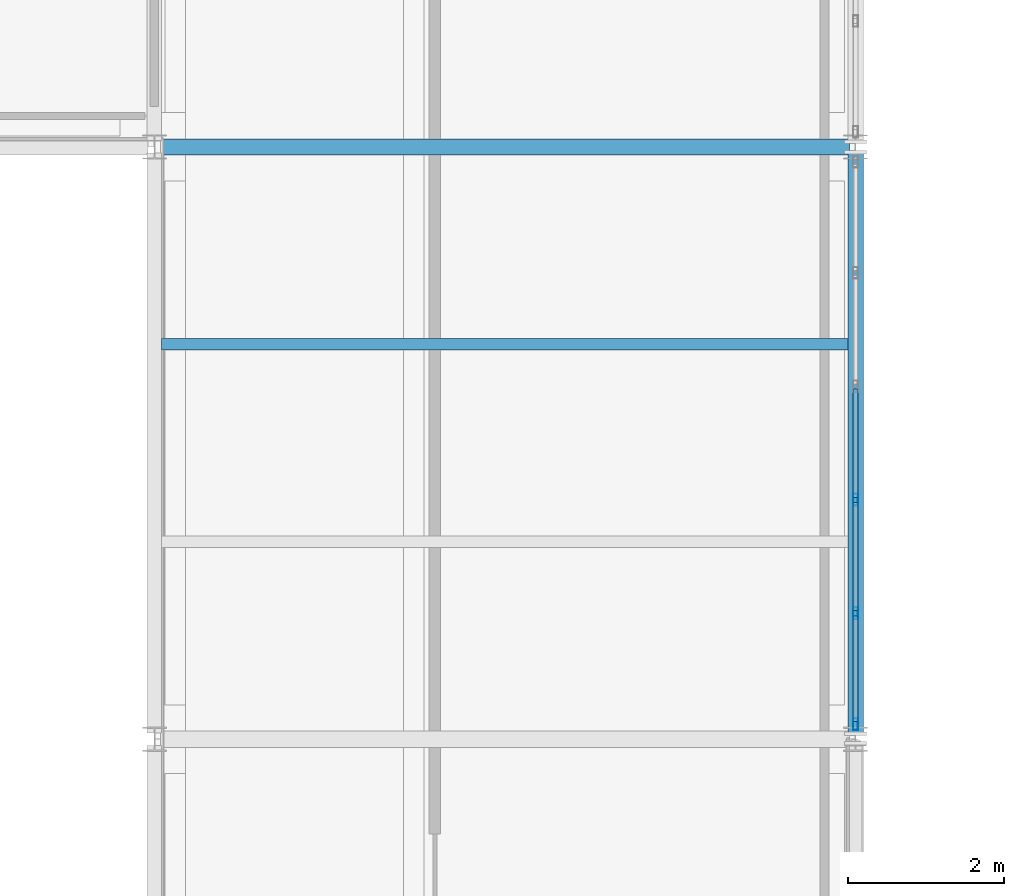
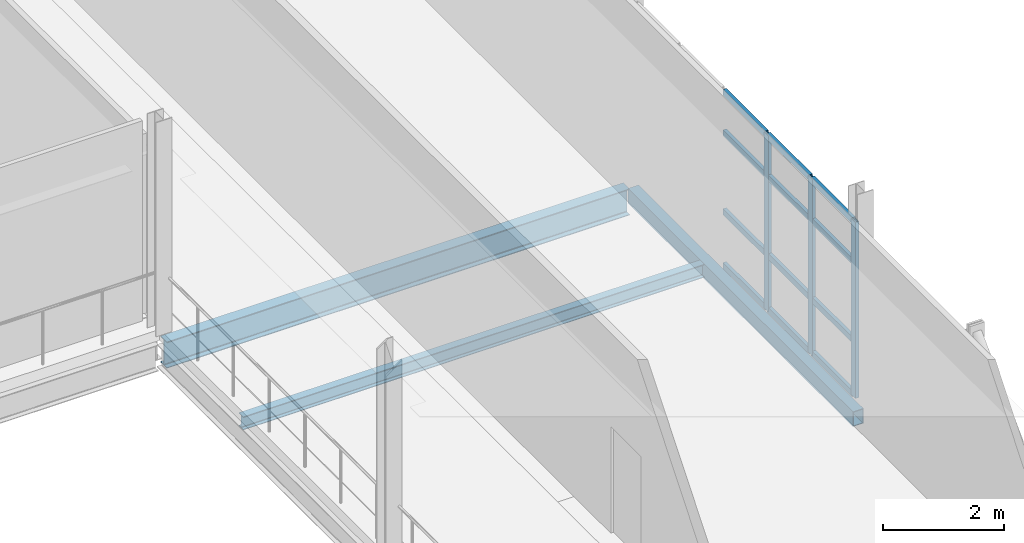
# One storey, part 117 of 166: 15 members, 3 beams, 1 element without a shape of its own.
"""IFC4 building model written with IfcOpenShell, lengths in metres."""

from ifc_helpers import new_model, si_unit, direction, frame, origin, origin_2d, place, context, subcontext, project, spatial, hollow_rectangle, i_section, extrude, material, material_profile, profile_set, type_object, element, aggregate, save


model = new_model("IFC4")

# Units and contexts
model_context = context("Model", 3, precision=1e-05, world=origin(), true_north=direction((0.0, 1.0)))
body_context = subcontext(model_context, "Body", "Model", "MODEL_VIEW")
ifc_project = project(units=[si_unit("LENGTHUNIT", "METRE"), si_unit("AREAUNIT", "SQUARE_METRE"), si_unit("VOLUMEUNIT", "CUBIC_METRE"), si_unit("PLANEANGLEUNIT", "RADIAN"), si_unit("MASSUNIT", "GRAM", prefix="KILO")], contexts=[model_context])

# Site, building, storey
site_placement = place(None, origin())
site = spatial("IfcSite", under=ifc_project, at=site_placement, CompositionType="ELEMENT")
building_placement = place(site_placement, origin())
building = spatial("IfcBuilding", under=site, at=building_placement, Name="Caisbarro Railhouse Central Library", CompositionType="ELEMENT")
storey_placement = place(building_placement, frame((0.0, 0.0, 9.360107421875)))
storey = spatial("IfcBuildingStorey", under=building, at=storey_placement, Name="L02", CompositionType="ELEMENT", Elevation=9.360107421875)

# Beams
ifc_material_1 = material(Name="Steel ASTM A572 Grade 50", Category="steel")
ifc_material_profile_1 = material_profile(ifc_material_1, i_section(OverallWidth=0.208984375, OverallDepth=0.532958984375, WebThickness=0.01025390625, FlangeThickness=0.015625, FilletRadius=0.02001953125, at=origin_2d()), Name="W530X92.0")
ifc_profile_set_1 = profile_set([ifc_material_profile_1], Name="Steel ASTM A572 Grade 50")
beam_type_1 = type_object("IfcBeamType", Name="BM-G06", PredefinedType="BEAM", material=ifc_profile_set_1)
beam_1_placement = place(storey_placement, frame((144.080078125, 91.199951171875, -0.486572265625), z_axis=(1.0, 0.0, 0.0), x_axis=(0.0, 1.0, 0.0)))
element("IfcBeam", 1, at=beam_1_placement, inside=storey, type_object=beam_type_1, Name="G06 beam L02 #1493", PredefinedType="BEAM", context=body_context, shape_type="SweptSolid", body=[
    extrude(i_section(OverallWidth=0.208984375, OverallDepth=0.532958984375, WebThickness=0.01025390625, FlangeThickness=0.015625, FilletRadius=0.02001953125, at=origin_2d()), origin(), (0.0, 0.0, 1.0), 8.83984375),
])
ifc_material_profile_2 = material_profile(ifc_material_1, i_section(OverallWidth=0.14794921875, OverallDepth=0.26611328125, WebThickness=0.007568359375, FlangeThickness=0.012939453125, FilletRadius=0.010009765625, at=origin_2d()), Name="W250X44.8")
ifc_profile_set_2 = profile_set([ifc_material_profile_2], Name="Steel ASTM A572 Grade 50")
beam_type_2 = type_object("IfcBeamType", Name="BM-J04", PredefinedType="JOIST", material=ifc_profile_set_2)
beam_2_placement = place(storey_placement, frame((144.094970703125, 88.666748046875, -0.35302734375), z_axis=(1.0, 0.0, 0.0), x_axis=(0.0, 1.0, 0.0)))
element("IfcBeam", 2, at=beam_2_placement, inside=storey, type_object=beam_type_2, Name="J04 beam L02 #1576", PredefinedType="JOIST", context=body_context, shape_type="SweptSolid", body=[
    extrude(i_section(OverallWidth=0.14794921875, OverallDepth=0.26611328125, WebThickness=0.007568359375, FlangeThickness=0.012939453125, FilletRadius=0.010009765625, at=origin_2d()), origin(), (0.0, 0.0, 1.0), 8.804931640625),
])
ifc_material_profile_3 = material_profile(ifc_material_1, hollow_rectangle(XDim=0.199951171875, YDim=0.300048828125, WallThickness=0.012451171875, at=origin_2d()), Name="HSS300X200X12.5")
ifc_profile_set_3 = profile_set([ifc_material_profile_3], Name="Steel ASTM A572 Grade 50")
beam_type_3 = type_object("IfcBeamType", Name="BM-SP02", PredefinedType="SPANDREL", material=ifc_profile_set_3)
beam_3_placement = place(storey_placement, frame((153.0, 83.679931640625, -0.3701171875), z_axis=(0.0, 1.0, 0.0), x_axis=(-1.0, 0.0, 0.0)))
element("IfcBeam", 3, at=beam_3_placement, inside=storey, type_object=beam_type_3, Name="SP02 beam L02 #1535", PredefinedType="SPANDREL", context=body_context, shape_type="SweptSolid", body=[
    extrude(hollow_rectangle(XDim=0.199951171875, YDim=0.300048828125, WallThickness=0.012451171875, at=origin_2d()), origin(), (0.0, 0.0, 1.0), 7.440185546875),
])

# Curtain wall, members
ifc_material_2 = material(Name="Anodised architectural aluminium", Category="aluminium")
curtain_wall_type = type_object("IfcCurtainWallType", Name="CW-CW03", PredefinedType="NOTDEFINED", material=ifc_material_2)
curtain_wall_placement = place(storey_placement, origin())
curtain_wall = element("IfcCurtainWall", 4, at=curtain_wall_placement, inside=storey, type_object=curtain_wall_type, Name="CW03 curtain wall L02 #139", PredefinedType="NOTDEFINED")
ifc_material_profile_4 = material_profile(ifc_material_2, hollow_rectangle(XDim=0.06494140625, YDim=0.14990234375, WallThickness=0.00390625, at=origin_2d()), Name="ALU-MUL-65X150")
ifc_profile_set_4 = profile_set([ifc_material_profile_4], Name="Anodised architectural aluminium")
member_type_1 = type_object("IfcMemberType", Name="CWM-M02", PredefinedType="MULLION", material=ifc_profile_set_4)
member_1_placement = place(storey_placement, frame((153.0, 83.79248046875, 0.0), z_axis=(0.0, 0.0, 1.0), x_axis=(-1.0, 0.0, 0.0)))
member_1 = element("IfcMember", 5, at=member_1_placement, type_object=member_type_1, Name="CW03 mullion 1", PredefinedType="MULLION", context=body_context, shape_type="SweptSolid", body=[
    extrude(hollow_rectangle(XDim=0.06494140625, YDim=0.14990234375, WallThickness=0.00390625, at=origin_2d()), origin(), (0.0, 0.0, 1.0), 3.559814453125),
])
member_2_placement = place(storey_placement, frame((153.0, 85.216064453125, 0.0), z_axis=(0.0, 0.0, 1.0), x_axis=(-1.0, 0.0, 0.0)))
member_2 = element("IfcMember", 6, at=member_2_placement, type_object=member_type_1, Name="CW03 mullion 2", PredefinedType="MULLION", context=body_context, shape_type="SweptSolid", body=[
    extrude(hollow_rectangle(XDim=0.06494140625, YDim=0.14990234375, WallThickness=0.00390625, at=origin_2d()), origin(), (0.0, 0.0, 1.0), 3.559814453125),
])
member_3_placement = place(storey_placement, frame((153.0, 86.672119140625, 0.0), z_axis=(0.0, 0.0, 1.0), x_axis=(-1.0, 0.0, 0.0)))
member_3 = element("IfcMember", 7, at=member_3_placement, type_object=member_type_1, Name="CW03 mullion 3", PredefinedType="MULLION", context=body_context, shape_type="SweptSolid", body=[
    extrude(hollow_rectangle(XDim=0.06494140625, YDim=0.14990234375, WallThickness=0.00390625, at=origin_2d()), origin(), (0.0, 0.0, 1.0), 3.559814453125),
])
ifc_material_profile_5 = material_profile(ifc_material_2, hollow_rectangle(XDim=0.06494140625, YDim=0.1201171875, WallThickness=0.00341796875, at=origin_2d()), Name="ALU-TRN-65X120")
ifc_profile_set_5 = profile_set([ifc_material_profile_5], Name="Anodised architectural aluminium")
member_type_2 = type_object("IfcMemberType", Name="CWT-T02", PredefinedType="USERDEFINED", material=ifc_profile_set_5)
member_4_placement = place(storey_placement, frame((153.0, 83.824951171875, 0.032470703125), z_axis=(0.0, 1.0, 0.0), x_axis=(-1.0, 0.0, 0.0)))
member_4 = element("IfcMember", 8, at=member_4_placement, type_object=member_type_2, Name="CW03 transom 1.1", ObjectType="TRANSOM", PredefinedType="USERDEFINED", context=body_context, shape_type="SweptSolid", body=[
    extrude(hollow_rectangle(XDim=0.06494140625, YDim=0.1201171875, WallThickness=0.00341796875, at=origin_2d()), origin(), (0.0, 0.0, 1.0), 1.358642578125),
])
member_5_placement = place(storey_placement, frame((153.0, 83.824951171875, 1.119873046875), z_axis=(0.0, 1.0, 0.0), x_axis=(-1.0, 0.0, 0.0)))
member_5 = element("IfcMember", 9, at=member_5_placement, type_object=member_type_2, Name="CW03 transom 1.2", ObjectType="TRANSOM", PredefinedType="USERDEFINED", context=body_context, shape_type="SweptSolid", body=[
    extrude(hollow_rectangle(XDim=0.06494140625, YDim=0.1201171875, WallThickness=0.00341796875, at=origin_2d()), origin(), (0.0, 0.0, 1.0), 1.358642578125),
])
member_6_placement = place(storey_placement, frame((153.0, 83.824951171875, 2.7099609375), z_axis=(0.0, 1.0, 0.0), x_axis=(-1.0, 0.0, 0.0)))
member_6 = element("IfcMember", 10, at=member_6_placement, type_object=member_type_2, Name="CW03 transom 1.3", ObjectType="TRANSOM", PredefinedType="USERDEFINED", context=body_context, shape_type="SweptSolid", body=[
    extrude(hollow_rectangle(XDim=0.06494140625, YDim=0.1201171875, WallThickness=0.00341796875, at=origin_2d()), origin(), (0.0, 0.0, 1.0), 1.358642578125),
])
member_7_placement = place(storey_placement, frame((153.0, 83.824951171875, 3.52734375), z_axis=(0.0, 1.0, 0.0), x_axis=(-1.0, 0.0, 0.0)))
member_7 = element("IfcMember", 11, at=member_7_placement, type_object=member_type_2, Name="CW03 transom 1.4", ObjectType="TRANSOM", PredefinedType="USERDEFINED", context=body_context, shape_type="SweptSolid", body=[
    extrude(hollow_rectangle(XDim=0.06494140625, YDim=0.1201171875, WallThickness=0.00341796875, at=origin_2d()), origin(), (0.0, 0.0, 1.0), 1.358642578125),
])
member_8_placement = place(storey_placement, frame((153.0, 85.24853515625, 0.032470703125), z_axis=(0.0, 1.0, 0.0), x_axis=(-1.0, 0.0, 0.0)))
member_8 = element("IfcMember", 12, at=member_8_placement, type_object=member_type_2, Name="CW03 transom 2.1", ObjectType="TRANSOM", PredefinedType="USERDEFINED", context=body_context, shape_type="SweptSolid", body=[
    extrude(hollow_rectangle(XDim=0.06494140625, YDim=0.1201171875, WallThickness=0.00341796875, at=origin_2d()), origin(), (0.0, 0.0, 1.0), 1.390869140625),
])
member_9_placement = place(storey_placement, frame((153.0, 85.24853515625, 1.119873046875), z_axis=(0.0, 1.0, 0.0), x_axis=(-1.0, 0.0, 0.0)))
member_9 = element("IfcMember", 13, at=member_9_placement, type_object=member_type_2, Name="CW03 transom 2.2", ObjectType="TRANSOM", PredefinedType="USERDEFINED", context=body_context, shape_type="SweptSolid", body=[
    extrude(hollow_rectangle(XDim=0.06494140625, YDim=0.1201171875, WallThickness=0.00341796875, at=origin_2d()), origin(), (0.0, 0.0, 1.0), 1.390869140625),
])
member_10_placement = place(storey_placement, frame((153.0, 85.24853515625, 2.7099609375), z_axis=(0.0, 1.0, 0.0), x_axis=(-1.0, 0.0, 0.0)))
member_10 = element("IfcMember", 14, at=member_10_placement, type_object=member_type_2, Name="CW03 transom 2.3", ObjectType="TRANSOM", PredefinedType="USERDEFINED", context=body_context, shape_type="SweptSolid", body=[
    extrude(hollow_rectangle(XDim=0.06494140625, YDim=0.1201171875, WallThickness=0.00341796875, at=origin_2d()), origin(), (0.0, 0.0, 1.0), 1.390869140625),
])
member_11_placement = place(storey_placement, frame((153.0, 85.24853515625, 3.52734375), z_axis=(0.0, 1.0, 0.0), x_axis=(-1.0, 0.0, 0.0)))
member_11 = element("IfcMember", 15, at=member_11_placement, type_object=member_type_2, Name="CW03 transom 2.4", ObjectType="TRANSOM", PredefinedType="USERDEFINED", context=body_context, shape_type="SweptSolid", body=[
    extrude(hollow_rectangle(XDim=0.06494140625, YDim=0.1201171875, WallThickness=0.00341796875, at=origin_2d()), origin(), (0.0, 0.0, 1.0), 1.390869140625),
])
member_12_placement = place(storey_placement, frame((153.0, 86.70458984375, 0.032470703125), z_axis=(0.0, 1.0, 0.0), x_axis=(-1.0, 0.0, 0.0)))
member_12 = element("IfcMember", 16, at=member_12_placement, type_object=member_type_2, Name="CW03 transom 3.1", ObjectType="TRANSOM", PredefinedType="USERDEFINED", context=body_context, shape_type="SweptSolid", body=[
    extrude(hollow_rectangle(XDim=0.06494140625, YDim=0.1201171875, WallThickness=0.00341796875, at=origin_2d()), origin(), (0.0, 0.0, 1.0), 1.390869140625),
])
member_13_placement = place(storey_placement, frame((153.0, 86.70458984375, 1.119873046875), z_axis=(0.0, 1.0, 0.0), x_axis=(-1.0, 0.0, 0.0)))
member_13 = element("IfcMember", 17, at=member_13_placement, type_object=member_type_2, Name="CW03 transom 3.2", ObjectType="TRANSOM", PredefinedType="USERDEFINED", context=body_context, shape_type="SweptSolid", body=[
    extrude(hollow_rectangle(XDim=0.06494140625, YDim=0.1201171875, WallThickness=0.00341796875, at=origin_2d()), origin(), (0.0, 0.0, 1.0), 1.390869140625),
])
member_14_placement = place(storey_placement, frame((153.0, 86.70458984375, 2.7099609375), z_axis=(0.0, 1.0, 0.0), x_axis=(-1.0, 0.0, 0.0)))
member_14 = element("IfcMember", 18, at=member_14_placement, type_object=member_type_2, Name="CW03 transom 3.3", ObjectType="TRANSOM", PredefinedType="USERDEFINED", context=body_context, shape_type="SweptSolid", body=[
    extrude(hollow_rectangle(XDim=0.06494140625, YDim=0.1201171875, WallThickness=0.00341796875, at=origin_2d()), origin(), (0.0, 0.0, 1.0), 1.390869140625),
])
member_15_placement = place(storey_placement, frame((153.0, 86.70458984375, 3.52734375), z_axis=(0.0, 1.0, 0.0), x_axis=(-1.0, 0.0, 0.0)))
member_15 = element("IfcMember", 19, at=member_15_placement, type_object=member_type_2, Name="CW03 transom 3.4", ObjectType="TRANSOM", PredefinedType="USERDEFINED", context=body_context, shape_type="SweptSolid", body=[
    extrude(hollow_rectangle(XDim=0.06494140625, YDim=0.1201171875, WallThickness=0.00341796875, at=origin_2d()), origin(), (0.0, 0.0, 1.0), 1.390869140625),
])
aggregate(curtain_wall, [member_1, member_2, member_3, member_4, member_5, member_6, member_7, member_8, member_9, member_10, member_11, member_12, member_13, member_14, member_15])

save(model, "model.ifc")
